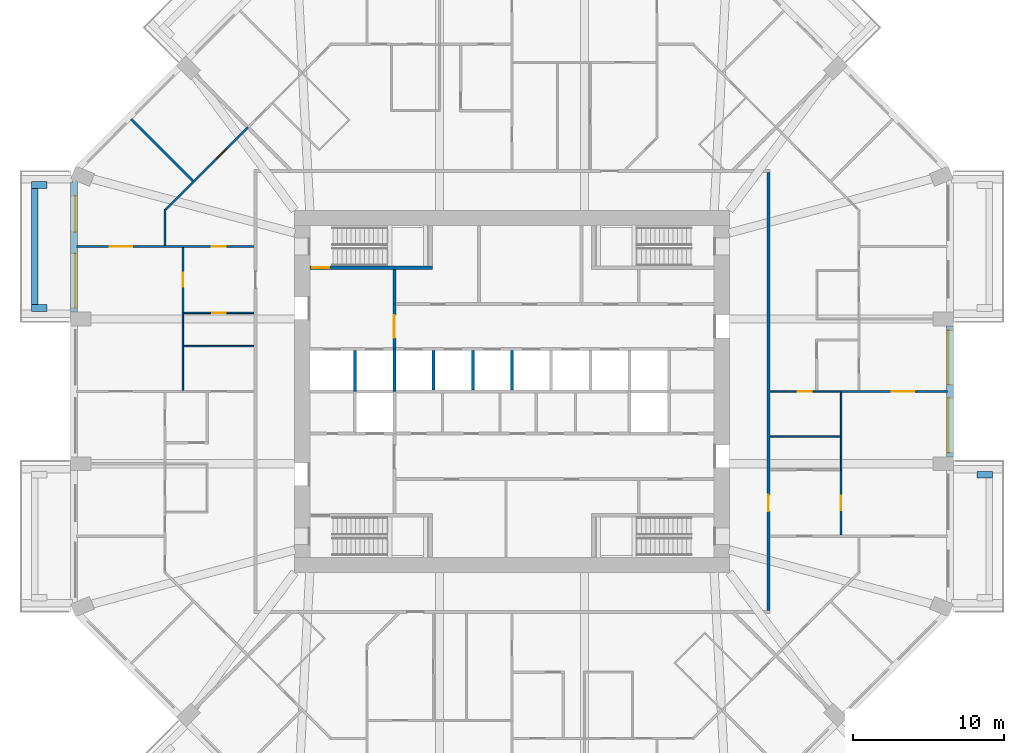
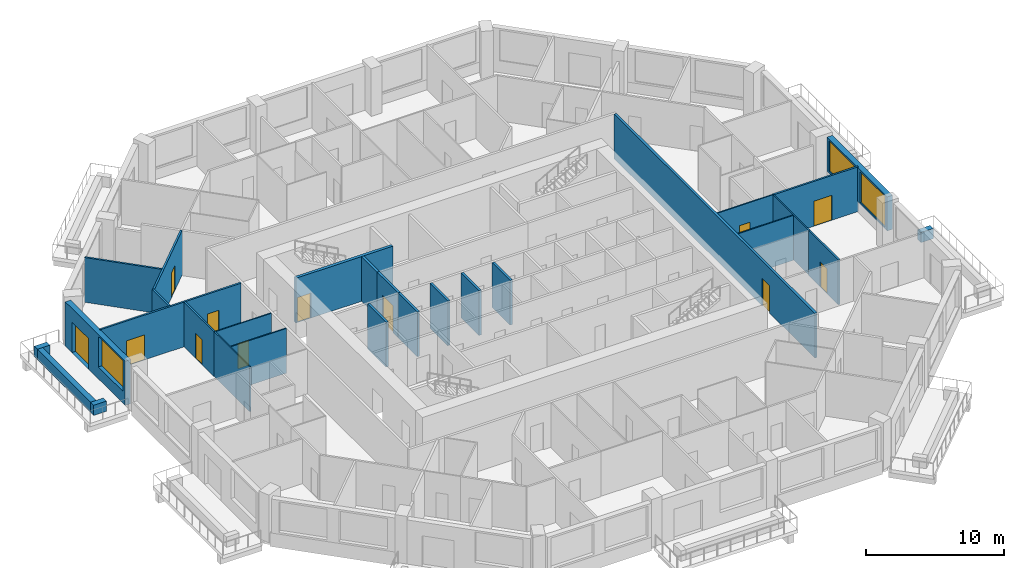
# One storey, part 7 of 13: 28 walls, 12 doors, 3 windows, 15 openings.
"""IFC4 building model written with IfcOpenShell, lengths in metres."""

from ifc_helpers import new_model, si_unit, direction, frame, frame_2d, origin, place, context, subcontext, project, spatial, rectangle, extrude, material, layer, layer_set, type_object, element, fill, save


model = new_model("IFC4")

# Units and contexts
model_context = context("Model", 3, precision=1e-05, world=origin(), true_north=direction((0.0, 1.0)))
body_context = subcontext(model_context, "Body", "Model", "MODEL_VIEW")
ifc_project = project(units=[si_unit("LENGTHUNIT", "METRE"), si_unit("AREAUNIT", "SQUARE_METRE"), si_unit("VOLUMEUNIT", "CUBIC_METRE"), si_unit("PLANEANGLEUNIT", "RADIAN"), si_unit("MASSUNIT", "GRAM", prefix="KILO")], contexts=[model_context])

# Site, building, storey
site_placement = place(None, origin())
site = spatial("IfcSite", under=ifc_project, at=site_placement, CompositionType="ELEMENT")
building_placement = place(site_placement, origin())
building = spatial("IfcBuilding", under=site, at=building_placement, Name="Msitu Wima Residences", CompositionType="ELEMENT")
storey_placement = place(building_placement, frame((0.0, 0.0, 33.89990234375)))
storey = spatial("IfcBuildingStorey", under=building, at=storey_placement, Name="L07", CompositionType="ELEMENT", Elevation=33.89990234375)

# Walls
ifc_material_1 = material(Name="Facing brick")
ifc_layer_1 = layer(ifc_material_1, 0.06494140625, Name="Facing brick")
ifc_material_2 = material(Name="Concrete C40/50", Category="concrete")
ifc_layer_2 = layer(ifc_material_2, 0.156005859375, Name="Concrete C40/50")
ifc_material_3 = material(Name="Waterproofing membrane")
ifc_layer_3 = layer(ifc_material_3, 0.00390625, Name="Waterproofing membrane")
ifc_material_4 = material(Name="Planting soil and planting")
ifc_layer_4 = layer(ifc_material_4, 0.22509765625, Name="Planting soil and planting")
ifc_layer_set_1 = layer_set([ifc_layer_1, ifc_layer_2, ifc_layer_3, ifc_layer_4], Name="Concrete C40/50")
wall_type_1 = type_object("IfcWallType", Name="Balcony planter PLANTER PL450", PredefinedType="USERDEFINED", material=ifc_layer_set_1)
wall_1_placement = place(storey_placement, frame((30.800048828125, -5.52490234375, 0.0), z_axis=(0.0, 0.0, 1.0), x_axis=(1.0, 0.0, 0.0)))
element("IfcWall", 1, at=wall_1_placement, inside=storey, type_object=wall_type_1, Name="Balcony planter E0 L07", ObjectType="PLANTER", PredefinedType="USERDEFINED", context=body_context, shape_type="SweptSolid", body=[
    extrude(rectangle(XDim=1.050048828125, YDim=0.449951171875, at=frame_2d((0.52490234375, 0.0))), origin(), (0.0, 0.0, 1.0), 0.900146484375),
])
wall_2_placement = place(storey_placement, frame((-31.625, 13.449951171875, 0.0), z_axis=(0.0, 0.0, 1.0), x_axis=(0.0, -1.0, 0.0)))
element("IfcWall", 2, at=wall_2_placement, inside=storey, type_object=wall_type_1, Name="Balcony planter W0 L07", ObjectType="PLANTER", PredefinedType="USERDEFINED", context=body_context, shape_type="SweptSolid", body=[
    extrude(rectangle(XDim=7.699951171875, YDim=0.449951171875, at=frame_2d((3.85009765625, 0.0))), origin(), (0.0, 0.0, 1.0), 0.900146484375),
])
for number, where, z_axis, x_axis, name in (
    (3, (-30.800048828125, 13.675048828125, 0.0), (0.0, 0.0, 1.0), (-1.0, 0.0, 0.0), "Balcony planter W0 L07"),
    (4, (-30.800048828125, 5.52490234375, 0.0), (0.0, 0.0, 1.0), (-1.0, 0.0, 0.0), "Balcony planter W0 L07"),
):
    element("IfcWall", number, at=place(storey_placement, frame(where, z_axis=z_axis, x_axis=x_axis)), inside=storey, type_object=wall_type_1, Name=name, ObjectType="PLANTER", PredefinedType="USERDEFINED", context=body_context, shape_type="SweptSolid", body=[
        extrude(rectangle(XDim=1.050048828125, YDim=0.449951171875, at=frame_2d((0.52490234375, 0.0))), origin(), (0.0, 0.0, 1.0), 0.900146484375),
    ])

# Wall, openings, windows
ifc_material_5 = material(Name="Brick (red buff mix)", Category="masonry")
ifc_layer_5 = layer(ifc_material_5, 0.449951171875)
ifc_layer_set_2 = layer_set([ifc_layer_5], Name="Brick (red buff mix)")
wall_type_2 = type_object("IfcWallType", Name="Brick infill wall BW450", PredefinedType="SOLIDWALL", material=ifc_layer_set_2)
wall_3_placement = place(storey_placement, frame((29.02490234375, -4.35009765625, 0.900146484375), z_axis=(0.0, 0.0, 1.0), x_axis=(0.0, 1.0, 0.0)))
wall_3 = element("IfcWall", 5, at=wall_3_placement, inside=storey, type_object=wall_type_2, Name="Brick infill wall L07 E1", PredefinedType="SOLIDWALL", context=body_context, shape_type="SweptSolid", body=[
    extrude(rectangle(XDim=8.7001953125, YDim=0.449951171875, at=frame_2d((4.35009765625, 0.0))), origin(), (0.0, 0.0, 1.0), 3.0),
])
opening_1_placement = place(wall_3_placement, frame((0.300048828125, 0.0, 0.14990234375)))
opening_1 = element("IfcOpeningElement", 6, at=opening_1_placement, cuts=wall_3, Name="Opening W05-07.002", PredefinedType="OPENING", context=body_context, shape_type="SweptSolid", body=[
    extrude(rectangle(XDim=3.60009765625, YDim=2.699951171875, at=frame_2d((1.800048828125, 1.35009765625))), frame((0.0, 0.23486328125, 0.0), z_axis=(0.0, -1.0, 0.0), x_axis=(1.0, 0.0, 0.0)), (0.0, 0.0, 1.0), 0.469970703125),
])
opening_2_placement = place(wall_3_placement, frame((4.800048828125, 0.0, 0.14990234375)))
opening_2 = element("IfcOpeningElement", 7, at=opening_2_placement, cuts=wall_3, Name="Opening W05-07.003", PredefinedType="OPENING", context=body_context, shape_type="SweptSolid", body=[
    extrude(rectangle(XDim=3.60009765625, YDim=2.699951171875, at=frame_2d((1.800048828125, 1.35009765625))), frame((0.0, 0.23486328125, 0.0), z_axis=(0.0, -1.0, 0.0), x_axis=(1.0, 0.0, 0.0)), (0.0, 0.0, 1.0), 0.469970703125),
])
ifc_material_6 = material(Name="Anodised aluminium, bronze finish, clear low-emissivity double glazing", Category="aluminium")
window_type = type_object("IfcWindowType", Name="Window W3600x2700", PartitioningType="DOUBLE_PANEL_VERTICAL", PredefinedType="WINDOW", material=ifc_material_6)
window_1_placement = place(opening_1_placement, origin())
window_1 = element("IfcWindow", 8, at=window_1_placement, inside=storey, type_object=window_type, Name="Window L07 E1.1", OverallHeight=2.699951171875, OverallWidth=3.60009765625, PartitioningType="SINGLE_PANEL", PredefinedType="WINDOW", context=body_context, shape_type="SweptSolid", body=[
    extrude(rectangle(XDim=3.60009765625, YDim=2.699951171875, at=frame_2d((1.800048828125, 1.35009765625))), frame((0.0, 0.135009765625, 0.0), z_axis=(0.0, -1.0, 0.0), x_axis=(1.0, 0.0, 0.0)), (0.0, 0.0, 1.0), 0.06005859375),
])
fill(opening_1, window_1)
window_2_placement = place(opening_2_placement, origin())
window_2 = element("IfcWindow", 9, at=window_2_placement, inside=storey, type_object=window_type, Name="Window L07 E1.2", OverallHeight=2.699951171875, OverallWidth=3.60009765625, PartitioningType="SINGLE_PANEL", PredefinedType="WINDOW", context=body_context, shape_type="SweptSolid", body=[
    extrude(rectangle(XDim=3.60009765625, YDim=2.699951171875, at=frame_2d((1.800048828125, 1.35009765625))), frame((0.0, 0.135009765625, 0.0), z_axis=(0.0, -1.0, 0.0), x_axis=(1.0, 0.0, 0.0)), (0.0, 0.0, 1.0), 0.06005859375),
])
fill(opening_2, window_2)

# Wall, openings, door, window
wall_4_placement = place(storey_placement, frame((-29.02490234375, 13.912841796875, 0.0), z_axis=(0.0, 0.0, 1.0), x_axis=(0.0, -1.0, 0.0)))
wall_4 = element("IfcWall", 10, at=wall_4_placement, inside=storey, type_object=wall_type_2, Name="Brick infill wall L07 W0", PredefinedType="SOLIDWALL", context=body_context, shape_type="SweptSolid", body=[
    extrude(rectangle(XDim=8.662841796875, YDim=0.449951171875, at=frame_2d((4.33154296875, 0.0))), origin(), (0.0, 0.0, 1.0), 3.900146484375),
])
opening_3_placement = place(wall_4_placement, frame((0.9658203125, 0.0, 0.0)))
opening_3 = element("IfcOpeningElement", 11, at=opening_3_placement, cuts=wall_4, Name="Opening D05-07.009", PredefinedType="OPENING", context=body_context, shape_type="SweptSolid", body=[
    extrude(rectangle(XDim=2.39990234375, YDim=2.699951171875, at=frame_2d((1.199951171875, 1.35009765625))), frame((0.0, 0.23486328125, 0.0), z_axis=(0.0, -1.0, 0.0), x_axis=(1.0, 0.0, 0.0)), (0.0, 0.0, 1.0), 0.469970703125),
])
opening_4_placement = place(wall_4_placement, frame((4.781494140625, 0.0, 1.050048828125)))
opening_4 = element("IfcOpeningElement", 12, at=opening_4_placement, cuts=wall_4, Name="Opening W05-07.027", PredefinedType="OPENING", context=body_context, shape_type="SweptSolid", body=[
    extrude(rectangle(XDim=3.60009765625, YDim=2.699951171875, at=frame_2d((1.800048828125, 1.35009765625))), frame((0.0, 0.23486328125, 0.0), z_axis=(0.0, -1.0, 0.0), x_axis=(1.0, 0.0, 0.0)), (0.0, 0.0, 1.0), 0.469970703125),
])
door_type_1 = type_object("IfcDoorType", Name="Balcony door D2400x2700", OperationType="SLIDING_TO_LEFT", PredefinedType="DOOR", material=ifc_material_6)
door_1_placement = place(opening_3_placement, origin())
door_1 = element("IfcDoor", 13, at=door_1_placement, inside=storey, type_object=door_type_1, Name="Balcony door L07 W0", OperationType="SINGLE_SWING_LEFT", OverallHeight=2.699951171875, OverallWidth=2.39990234375, PredefinedType="DOOR", context=body_context, shape_type="SweptSolid", body=[
    extrude(rectangle(XDim=2.39990234375, YDim=2.699951171875, at=frame_2d((1.199951171875, 1.35009765625))), frame((0.0, 0.1298828125, 0.0), z_axis=(0.0, -1.0, 0.0), x_axis=(1.0, 0.0, 0.0)), (0.0, 0.0, 1.0), 0.050048828125),
])
fill(opening_3, door_1)
window_3_placement = place(opening_4_placement, origin())
window_3 = element("IfcWindow", 14, at=window_3_placement, inside=storey, type_object=window_type, Name="Window L07 W0.2", OverallHeight=2.699951171875, OverallWidth=3.60009765625, PartitioningType="SINGLE_PANEL", PredefinedType="WINDOW", context=body_context, shape_type="SweptSolid", body=[
    extrude(rectangle(XDim=3.60009765625, YDim=2.699951171875, at=frame_2d((1.800048828125, 1.35009765625))), frame((0.0, 0.135009765625, 0.0), z_axis=(0.0, -1.0, 0.0), x_axis=(1.0, 0.0, 0.0)), (0.0, 0.0, 1.0), 0.06005859375),
])
fill(opening_4, window_3)

# Wall, opening, door
ifc_material_7 = material(Name="Plaster")
ifc_layer_6 = layer(ifc_material_7, 0.011962890625, Name="Plaster")
ifc_material_8 = material(Name="Concrete blockwork", Category="masonry")
ifc_layer_7 = layer(ifc_material_8, 0.176025390625, Name="Concrete blockwork")
ifc_layer_8 = layer(ifc_material_7, 0.011962890625, Name="Plaster")
ifc_layer_set_3 = layer_set([ifc_layer_6, ifc_layer_7, ifc_layer_8], Name="Concrete blockwork")
wall_type_3 = type_object("IfcWallType", Name="Corridor wall FW200", PredefinedType="PARTITIONING", material=ifc_layer_set_3)
wall_5_placement = place(storey_placement, frame((-7.800048828125, 2.800048828125, 0.0), z_axis=(0.0, 0.0, 1.0), x_axis=(0.0, 1.0, 0.0)))
wall_5 = element("IfcWall", 15, at=wall_5_placement, inside=storey, type_object=wall_type_3, Name="Corridor wall", PredefinedType="PARTITIONING", context=body_context, shape_type="SweptSolid", body=[
    extrude(rectangle(XDim=3.0, YDim=0.199951171875, at=frame_2d((1.5, 0.0))), origin(), (0.0, 0.0, 1.0), 3.9501953125),
])
opening_5_placement = place(wall_5_placement, frame((0.75, 0.0, 0.0)))
opening_5 = element("IfcOpeningElement", 16, at=opening_5_placement, cuts=wall_5, Name="Opening D05-07.017", PredefinedType="OPENING", context=body_context, shape_type="SweptSolid", body=[
    extrude(rectangle(XDim=1.5, YDim=2.39990234375, at=frame_2d((0.75, 1.199951171875))), frame((0.0, 0.10986328125, 0.0), z_axis=(0.0, -1.0, 0.0), x_axis=(1.0, 0.0, 0.0)), (0.0, 0.0, 1.0), 0.219970703125),
])
ifc_material_9 = material(Name="Steel framed glazed door, fire resisting", Category="steel")
door_type_2 = type_object("IfcDoorType", Name="Lobby door D07 1500x2400", OperationType="DOUBLE_DOOR_SINGLE_SWING", PredefinedType="DOOR", material=ifc_material_9)
door_2_placement = place(opening_5_placement, origin())
door_2 = element("IfcDoor", 17, at=door_2_placement, inside=storey, type_object=door_type_2, Name="Lobby door", OperationType="DOUBLE_DOOR_SINGLE_SWING", OverallHeight=2.39990234375, OverallWidth=1.5, PredefinedType="DOOR", context=body_context, shape_type="SweptSolid", body=[
    extrude(rectangle(XDim=1.5, YDim=2.39990234375, at=frame_2d((0.75, 1.199951171875))), frame((0.0, 0.02490234375, 0.0), z_axis=(0.0, -1.0, 0.0), x_axis=(1.0, 0.0, 0.0)), (0.0, 0.0, 1.0), 0.050048828125),
])
fill(opening_5, door_2)

wall_6_placement = place(storey_placement, frame((17.0, -14.5, 0.0), z_axis=(0.0, 0.0, 1.0), x_axis=(0.0, 1.0, 0.0)))
wall_6 = element("IfcWall", 18, at=wall_6_placement, inside=storey, type_object=wall_type_3, Name="Corridor wall", PredefinedType="PARTITIONING", context=body_context, shape_type="SweptSolid", body=[
    extrude(rectangle(XDim=29.0, YDim=0.199951171875, at=frame_2d((14.5, 0.0))), origin(), (0.0, 0.0, 1.0), 3.9501953125),
])
opening_6_placement = place(wall_6_placement, frame((6.550048828125, 0.0, 0.0)))
opening_6 = element("IfcOpeningElement", 19, at=opening_6_placement, cuts=wall_6, Name="Opening D05-07.011", PredefinedType="OPENING", context=body_context, shape_type="SweptSolid", body=[
    extrude(rectangle(XDim=1.10009765625, YDim=2.39990234375, at=frame_2d((0.550048828125, 1.199951171875))), frame((0.0, 0.10986328125, 0.0), z_axis=(0.0, -1.0, 0.0), x_axis=(1.0, 0.0, 0.0)), (0.0, 0.0, 1.0), 0.219970703125),
])
ifc_material_10 = material(Name="Timber flush door, fire resisting, self-closing", Category="wood")
door_type_3 = type_object("IfcDoorType", Name="Flat entrance door D01 1100x2400", OperationType="SINGLE_SWING_LEFT", PredefinedType="DOOR", material=ifc_material_10)
door_3_placement = place(opening_6_placement, origin())
door_3 = element("IfcDoor", 20, at=door_3_placement, inside=storey, type_object=door_type_3, Name="Flat entrance door", OperationType="SINGLE_SWING_RIGHT", OverallHeight=2.39990234375, OverallWidth=1.10009765625, PredefinedType="DOOR", context=body_context, shape_type="SweptSolid", body=[
    extrude(rectangle(XDim=1.10009765625, YDim=2.39990234375, at=frame_2d((0.550048828125, 1.199951171875))), frame((0.0, 0.02490234375, 0.0), z_axis=(0.0, -1.0, 0.0), x_axis=(1.0, 0.0, 0.0)), (0.0, 0.0, 1.0), 0.050048828125),
])
fill(opening_6, door_3)

# Wall, openings, doors
ifc_layer_9 = layer(ifc_material_7, 0.011962890625, Name="Plaster")
ifc_layer_10 = layer(ifc_material_8, 0.1259765625, Name="Concrete blockwork")
ifc_layer_11 = layer(ifc_material_7, 0.011962890625, Name="Plaster")
ifc_layer_set_4 = layer_set([ifc_layer_9, ifc_layer_10, ifc_layer_11], Name="Concrete blockwork")
wall_type_4 = type_object("IfcWallType", Name="Partition PW150", PredefinedType="PARTITIONING", material=ifc_layer_set_4)
wall_7_placement = place(storey_placement, frame((-28.85498046875, 9.60009765625, 0.0), z_axis=(0.0, 0.0, 1.0), x_axis=(1.0, 0.0, 0.0)))
wall_7 = element("IfcWall", 21, at=wall_7_placement, inside=storey, type_object=wall_type_4, Name="Partition", PredefinedType="PARTITIONING", context=body_context, shape_type="SweptSolid", body=[
    extrude(rectangle(XDim=11.7548828125, YDim=0.14990234375, at=frame_2d((5.87744140625, 0.0))), origin(), (0.0, 0.0, 1.0), 3.9501953125),
])
opening_7_placement = place(wall_7_placement, frame((8.949951171875, 0.0, 0.0)))
opening_7 = element("IfcOpeningElement", 22, at=opening_7_placement, cuts=wall_7, Name="Opening D05-07.063", PredefinedType="OPENING", context=body_context, shape_type="SweptSolid", body=[
    extrude(rectangle(XDim=0.949951171875, YDim=2.199951171875, at=frame_2d((0.47509765625, 1.10009765625))), frame((0.0, 0.0849609375, 0.0), z_axis=(0.0, -1.0, 0.0), x_axis=(1.0, 0.0, 0.0)), (0.0, 0.0, 1.0), 0.169921875),
])
opening_8_placement = place(wall_7_placement, frame((2.199951171875, 0.0, 0.0)))
opening_8 = element("IfcOpeningElement", 23, at=opening_8_placement, cuts=wall_7, Name="Opening D05-07.070", PredefinedType="OPENING", context=body_context, shape_type="SweptSolid", body=[
    extrude(rectangle(XDim=1.5, YDim=2.199951171875, at=frame_2d((0.75, 1.10009765625))), frame((0.0, 0.0849609375, 0.0), z_axis=(0.0, -1.0, 0.0), x_axis=(1.0, 0.0, 0.0)), (0.0, 0.0, 1.0), 0.169921875),
])
ifc_material_11 = material(Name="Timber double door", Category="wood")
door_type_4 = type_object("IfcDoorType", Name="Double door D04 1500x2200", OperationType="DOUBLE_DOOR_SINGLE_SWING", PredefinedType="DOOR", material=ifc_material_11)
door_4_placement = place(opening_8_placement, origin())
door_4 = element("IfcDoor", 24, at=door_4_placement, inside=storey, type_object=door_type_4, Name="Double door", OperationType="DOUBLE_DOOR_SINGLE_SWING", OverallHeight=2.199951171875, OverallWidth=1.5, PredefinedType="DOOR", context=body_context, shape_type="SweptSolid", body=[
    extrude(rectangle(XDim=1.5, YDim=2.199951171875, at=frame_2d((0.75, 1.10009765625))), frame((0.0, 0.02490234375, 0.0), z_axis=(0.0, -1.0, 0.0), x_axis=(1.0, 0.0, 0.0)), (0.0, 0.0, 1.0), 0.050048828125),
])
fill(opening_8, door_4)
ifc_material_12 = material(Name="Timber flush door", Category="wood")
door_type_5 = type_object("IfcDoorType", Name="Room door D12 950x2200", OperationType="SINGLE_SWING_LEFT", PredefinedType="DOOR", material=ifc_material_12)
door_5_placement = place(opening_7_placement, origin())
door_5 = element("IfcDoor", 25, at=door_5_placement, inside=storey, type_object=door_type_5, Name="Room door", OperationType="SINGLE_SWING_RIGHT", OverallHeight=2.199951171875, OverallWidth=0.949951171875, PredefinedType="DOOR", context=body_context, shape_type="SweptSolid", body=[
    extrude(rectangle(XDim=0.949951171875, YDim=2.199951171875, at=frame_2d((0.47509765625, 1.10009765625))), frame((0.0, 0.02490234375, 0.0), z_axis=(0.0, -1.0, 0.0), x_axis=(1.0, 0.0, 0.0)), (0.0, 0.0, 1.0), 0.050048828125),
])
fill(opening_7, door_5)

# Walls
wall_8_placement = place(storey_placement, frame((-25.23876953125, 18.038818359375, 0.0), z_axis=(0.0, 0.0, 1.0), x_axis=(0.707106781187, -0.707106781187, 0.0)))
element("IfcWall", 26, at=wall_8_placement, inside=storey, type_object=wall_type_4, Name="Partition", PredefinedType="PARTITIONING", context=body_context, shape_type="SweptSolid", body=[
    extrude(rectangle(XDim=5.77978515625, YDim=0.14990234375, at=frame_2d((2.889892578125, 0.0))), origin(), (0.0, 0.0, 1.0), 3.9501953125),
])
wall_9_placement = place(storey_placement, frame((-23.0, 9.675048828125, 0.0), z_axis=(0.0, 0.0, 1.0), x_axis=(0.0, 1.0, 0.0)))
element("IfcWall", 27, at=wall_9_placement, inside=storey, type_object=wall_type_4, Name="Partition", PredefinedType="PARTITIONING", context=body_context, shape_type="SweptSolid", body=[
    extrude(rectangle(XDim=2.3974609375, YDim=0.14990234375, at=frame_2d((1.19873046875, 0.0))), origin(), (0.0, 0.0, 1.0), 3.9501953125),
])

# Wall, opening, door
wall_10_placement = place(storey_placement, frame((-22.947021484375, 12.050537109375, 0.0), z_axis=(0.0, 0.0, 1.0), x_axis=(0.707106781187, 0.707106781187, 0.0)))
wall_10 = element("IfcWall", 28, at=wall_10_placement, inside=storey, type_object=wall_type_4, Name="Partition", PredefinedType="PARTITIONING", context=body_context, shape_type="SweptSolid", body=[
    extrude(rectangle(XDim=7.705078125, YDim=0.14990234375, at=frame_2d((3.8525390625, 0.0))), origin(), (0.0, 0.0, 1.0), 3.9501953125),
])
opening_9_placement = place(wall_10_placement, frame((4.75, 0.0, 0.0)))
opening_9 = element("IfcOpeningElement", 29, at=opening_9_placement, cuts=wall_10, Name="Opening D05-07.065", PredefinedType="OPENING", context=body_context, shape_type="SweptSolid", body=[
    extrude(rectangle(XDim=0.949951171875, YDim=2.199951171875, at=frame_2d((0.47509765625, 1.10009765625))), frame((0.0, 0.0849609375, 0.0), z_axis=(0.0, -1.0, 0.0), x_axis=(1.0, 0.0, 0.0)), (0.0, 0.0, 1.0), 0.169921875),
])
door_6_placement = place(opening_9_placement, origin())
door_6 = element("IfcDoor", 30, at=door_6_placement, inside=storey, type_object=door_type_5, Name="Room door", OperationType="SINGLE_SWING_RIGHT", OverallHeight=2.199951171875, OverallWidth=0.949951171875, PredefinedType="DOOR", context=body_context, shape_type="SweptSolid", body=[
    extrude(rectangle(XDim=0.949951171875, YDim=2.199951171875, at=frame_2d((0.47509765625, 1.10009765625))), frame((0.0, 0.02490234375, 0.0), z_axis=(0.0, -1.0, 0.0), x_axis=(1.0, 0.0, 0.0)), (0.0, 0.0, 1.0), 0.050048828125),
])
fill(opening_9, door_6)

wall_11_placement = place(storey_placement, frame((-21.800048828125, 5.219970703125, 0.0), z_axis=(0.0, 0.0, 1.0), x_axis=(0.0, 1.0, 0.0)))
wall_11 = element("IfcWall", 31, at=wall_11_placement, inside=storey, type_object=wall_type_4, Name="Partition", PredefinedType="PARTITIONING", context=body_context, shape_type="SweptSolid", body=[
    extrude(rectangle(XDim=4.304931640625, YDim=0.14990234375, at=frame_2d((2.15234375, 0.0))), origin(), (0.0, 0.0, 1.0), 3.9501953125),
])
opening_10_placement = place(wall_11_placement, frame((1.699951171875, 0.0, 0.0)))
opening_10 = element("IfcOpeningElement", 32, at=opening_10_placement, cuts=wall_11, Name="Opening D05-07.066", PredefinedType="OPENING", context=body_context, shape_type="SweptSolid", body=[
    extrude(rectangle(XDim=0.949951171875, YDim=2.199951171875, at=frame_2d((0.47509765625, 1.10009765625))), frame((0.0, 0.0849609375, 0.0), z_axis=(0.0, -1.0, 0.0), x_axis=(1.0, 0.0, 0.0)), (0.0, 0.0, 1.0), 0.169921875),
])
door_7_placement = place(opening_10_placement, origin())
door_7 = element("IfcDoor", 33, at=door_7_placement, inside=storey, type_object=door_type_5, Name="Room door", OperationType="SINGLE_SWING_RIGHT", OverallHeight=2.199951171875, OverallWidth=0.949951171875, PredefinedType="DOOR", context=body_context, shape_type="SweptSolid", body=[
    extrude(rectangle(XDim=0.949951171875, YDim=2.199951171875, at=frame_2d((0.47509765625, 1.10009765625))), frame((0.0, 0.02490234375, 0.0), z_axis=(0.0, -1.0, 0.0), x_axis=(1.0, 0.0, 0.0)), (0.0, 0.0, 1.0), 0.050048828125),
])
fill(opening_10, door_7)

wall_12_placement = place(storey_placement, frame((21.800048828125, -9.52490234375, 0.0), z_axis=(0.0, 0.0, 1.0), x_axis=(0.0, 1.0, 0.0)))
wall_12 = element("IfcWall", 34, at=wall_12_placement, inside=storey, type_object=wall_type_4, Name="Partition", PredefinedType="PARTITIONING", context=body_context, shape_type="SweptSolid", body=[
    extrude(rectangle(XDim=4.304931640625, YDim=0.14990234375, at=frame_2d((2.15234375, 0.0))), origin(), (0.0, 0.0, 1.0), 3.9501953125),
])
opening_11_placement = place(wall_12_placement, frame((1.64990234375, 0.0, 0.0)))
opening_11 = element("IfcOpeningElement", 35, at=opening_11_placement, cuts=wall_12, Name="Opening D05-07.053", PredefinedType="OPENING", context=body_context, shape_type="SweptSolid", body=[
    extrude(rectangle(XDim=0.949951171875, YDim=2.199951171875, at=frame_2d((0.47509765625, 1.10009765625))), frame((0.0, 0.0849609375, 0.0), z_axis=(0.0, -1.0, 0.0), x_axis=(1.0, 0.0, 0.0)), (0.0, 0.0, 1.0), 0.169921875),
])
door_8_placement = place(opening_11_placement, origin())
door_8 = element("IfcDoor", 36, at=door_8_placement, inside=storey, type_object=door_type_5, Name="Room door", OperationType="SINGLE_SWING_RIGHT", OverallHeight=2.199951171875, OverallWidth=0.949951171875, PredefinedType="DOOR", context=body_context, shape_type="SweptSolid", body=[
    extrude(rectangle(XDim=0.949951171875, YDim=2.199951171875, at=frame_2d((0.47509765625, 1.10009765625))), frame((0.0, 0.02490234375, 0.0), z_axis=(0.0, -1.0, 0.0), x_axis=(1.0, 0.0, 0.0)), (0.0, 0.0, 1.0), 0.050048828125),
])
fill(opening_11, door_8)

wall_13_placement = place(storey_placement, frame((21.800048828125, 0.0, 0.0), z_axis=(0.0, 0.0, 1.0), x_axis=(1.0, 0.0, 0.0)))
wall_13 = element("IfcWall", 37, at=wall_13_placement, inside=storey, type_object=wall_type_4, Name="Partition", PredefinedType="PARTITIONING", context=body_context, shape_type="SweptSolid", body=[
    extrude(rectangle(XDim=7.054931640625, YDim=0.14990234375, at=frame_2d((3.52734375, 0.0))), origin(), (0.0, 0.0, 1.0), 3.9501953125),
])
opening_12_placement = place(wall_13_placement, frame((3.35009765625, 0.0, 0.0)))
opening_12 = element("IfcOpeningElement", 38, at=opening_12_placement, cuts=wall_13, Name="Opening D05-07.075", PredefinedType="OPENING", context=body_context, shape_type="SweptSolid", body=[
    extrude(rectangle(XDim=1.5, YDim=2.199951171875, at=frame_2d((0.75, 1.10009765625))), frame((0.0, 0.0849609375, 0.0), z_axis=(0.0, -1.0, 0.0), x_axis=(1.0, 0.0, 0.0)), (0.0, 0.0, 1.0), 0.169921875),
])
door_9_placement = place(opening_12_placement, origin())
door_9 = element("IfcDoor", 39, at=door_9_placement, inside=storey, type_object=door_type_4, Name="Double door", OperationType="DOUBLE_DOOR_SINGLE_SWING", OverallHeight=2.199951171875, OverallWidth=1.5, PredefinedType="DOOR", context=body_context, shape_type="SweptSolid", body=[
    extrude(rectangle(XDim=1.5, YDim=2.199951171875, at=frame_2d((0.75, 1.10009765625))), frame((0.0, 0.02490234375, 0.0), z_axis=(0.0, -1.0, 0.0), x_axis=(1.0, 0.0, 0.0)), (0.0, 0.0, 1.0), 0.050048828125),
])
fill(opening_12, door_9)

# Walls
ifc_layer_12 = layer(ifc_material_7, 0.011962890625, Name="Plaster")
ifc_material_13 = material(Name="Reinforced concrete blockwork", Category="masonry")
ifc_layer_13 = layer(ifc_material_13, 0.176025390625, Name="Reinforced concrete blockwork")
ifc_layer_14 = layer(ifc_material_7, 0.011962890625, Name="Plaster")
ifc_layer_set_5 = layer_set([ifc_layer_12, ifc_layer_13, ifc_layer_14], Name="Reinforced concrete blockwork")
wall_type_5 = type_object("IfcWallType", Name="Plant and riser wall PL200", PredefinedType="PARTITIONING", material=ifc_layer_set_5)
wall_14_placement = place(storey_placement, frame((-7.800048828125, 5.800048828125, 0.0), z_axis=(0.0, 0.0, 1.0), x_axis=(0.0, 1.0, 0.0)))
element("IfcWall", 40, at=wall_14_placement, inside=storey, type_object=wall_type_5, Name="Plant and riser wall", PredefinedType="PARTITIONING", context=body_context, shape_type="SweptSolid", body=[
    extrude(rectangle(XDim=2.27490234375, YDim=0.199951171875, at=frame_2d((1.137451171875, 0.0))), origin(), (0.0, 0.0, 1.0), 3.9501953125),
])
ifc_material_14 = material(Name="Fire-rated board")
ifc_layer_15 = layer(ifc_material_14, 0.02490234375, Name="Fire-rated board")
ifc_material_15 = material(Name="Light-gauge stud framing with mineral wool")
ifc_layer_16 = layer(ifc_material_15, 0.14990234375, Name="Light-gauge stud framing with mineral wool")
ifc_layer_17 = layer(ifc_material_14, 0.02490234375, Name="Fire-rated board")
ifc_layer_set_6 = layer_set([ifc_layer_15, ifc_layer_16, ifc_layer_17], Name="Light-gauge stud framing with mineral wool")
wall_type_6 = type_object("IfcWallType", Name="Shaft wall SH200", PredefinedType="PARTITIONING", material=ifc_layer_set_6)
wall_15_placement = place(storey_placement, frame((-10.39990234375, 0.0, 0.0), z_axis=(0.0, 0.0, 1.0), x_axis=(0.0, 1.0, 0.0)))
element("IfcWall", 41, at=wall_15_placement, inside=storey, type_object=wall_type_6, Name="Shaft wall", PredefinedType="PARTITIONING", context=body_context, shape_type="SweptSolid", body=[
    extrude(rectangle(XDim=2.699951171875, YDim=0.199951171875, at=frame_2d((1.35009765625, 0.0))), origin(), (0.0, 0.0, 1.0), 3.9501953125),
])
wall_16_placement = place(storey_placement, frame((-7.800048828125, 0.0, 0.0), z_axis=(0.0, 0.0, 1.0), x_axis=(0.0, 1.0, 0.0)))
element("IfcWall", 42, at=wall_16_placement, inside=storey, type_object=wall_type_6, Name="Shaft wall", PredefinedType="PARTITIONING", context=body_context, shape_type="SweptSolid", body=[
    extrude(rectangle(XDim=2.800048828125, YDim=0.199951171875, at=frame_2d((1.39990234375, 0.0))), origin(), (0.0, 0.0, 1.0), 3.9501953125),
])
for number, where, z_axis, x_axis, name in (
    (43, (-5.199951171875, 0.10009765625, 0.0), (0.0, 0.0, 1.0), (0.0, 1.0, 0.0), "Shaft wall"),
    (44, (-2.60009765625, 0.10009765625, 0.0), (0.0, 0.0, 1.0), (0.0, 1.0, 0.0), "Shaft wall"),
    (45, (0.0, 0.10009765625, 0.0), (0.0, 0.0, 1.0), (0.0, 1.0, 0.0), "Shaft wall"),
):
    element("IfcWall", number, at=place(storey_placement, frame(where, z_axis=z_axis, x_axis=x_axis)), inside=storey, type_object=wall_type_6, Name=name, PredefinedType="PARTITIONING", context=body_context, shape_type="SweptSolid", body=[
        extrude(rectangle(XDim=2.599853515625, YDim=0.199951171875, at=frame_2d((1.2998046875, 0.0))), origin(), (0.0, 0.0, 1.0), 3.9501953125),
    ])

# Wall, opening, door
ifc_material_16 = material(Name="Concrete C50/60", Category="concrete")
ifc_layer_18 = layer(ifc_material_16, 0.25)
ifc_layer_set_7 = layer_set([ifc_layer_18], Name="Concrete C50/60")
wall_type_7 = type_object("IfcWallType", Name="Stair enclosure wall SW250", PredefinedType="SHEAR", material=ifc_layer_set_7)
wall_17_placement = place(storey_placement, frame((-13.3701171875, 8.199951171875, 0.0), z_axis=(0.0, 0.0, 1.0), x_axis=(1.0, 0.0, 0.0)))
wall_17 = element("IfcWall", 46, at=wall_17_placement, inside=storey, type_object=wall_type_7, Name="Stair enclosure wall", PredefinedType="SHEAR", context=body_context, shape_type="SweptSolid", body=[
    extrude(rectangle(XDim=8.09521484375, YDim=0.25, at=frame_2d((4.047607421875, 0.0))), origin(), (0.0, 0.0, 1.0), 3.9501953125),
])
opening_13_placement = place(wall_17_placement, frame((0.14990234375, 0.0, 0.0)))
opening_13 = element("IfcOpeningElement", 47, at=opening_13_placement, cuts=wall_17, Name="Opening D05-07.037", PredefinedType="OPENING", context=body_context, shape_type="SweptSolid", body=[
    extrude(rectangle(XDim=1.10009765625, YDim=2.199951171875, at=frame_2d((0.550048828125, 1.10009765625))), frame((0.0, 0.135009765625, 0.0), z_axis=(0.0, -1.0, 0.0), x_axis=(1.0, 0.0, 0.0)), (0.0, 0.0, 1.0), 0.27001953125),
])
ifc_material_17 = material(Name="Steel door, fire resisting, panic bar", Category="steel")
door_type_6 = type_object("IfcDoorType", Name="Stair door D06 1100x2200", OperationType="SINGLE_SWING_LEFT", PredefinedType="DOOR", material=ifc_material_17)
door_10_placement = place(opening_13_placement, origin())
door_10 = element("IfcDoor", 48, at=door_10_placement, inside=storey, type_object=door_type_6, Name="Stair door", OperationType="SINGLE_SWING_LEFT", OverallHeight=2.199951171875, OverallWidth=1.10009765625, PredefinedType="DOOR", context=body_context, shape_type="SweptSolid", body=[
    extrude(rectangle(XDim=1.10009765625, YDim=2.199951171875, at=frame_2d((0.550048828125, 1.10009765625))), frame((0.0, 0.02490234375, 0.0), z_axis=(0.0, -1.0, 0.0), x_axis=(1.0, 0.0, 0.0)), (0.0, 0.0, 1.0), 0.050048828125),
])
fill(opening_13, door_10)

# Walls
ifc_material_18 = material(Name="Ceramic tiles")
ifc_layer_19 = layer(ifc_material_18, 0.008056640625, Name="Ceramic tiles")
ifc_material_19 = material(Name="Moisture-resistant board")
ifc_layer_20 = layer(ifc_material_19, 0.012451171875, Name="Moisture-resistant board")
ifc_layer_21 = layer(ifc_material_15, 0.06689453125, Name="Light-gauge stud framing with mineral wool")
ifc_layer_22 = layer(ifc_material_19, 0.012451171875, Name="Moisture-resistant board")
ifc_layer_set_8 = layer_set([ifc_layer_19, ifc_layer_20, ifc_layer_21, ifc_layer_22], Name="Light-gauge stud framing with mineral wool")
wall_type_8 = type_object("IfcWallType", Name="Wet wall PW100", PredefinedType="PARTITIONING", material=ifc_layer_set_8)
wall_18_placement = place(storey_placement, frame((-21.800048828125, 0.074951171875, 0.0), z_axis=(0.0, 0.0, 1.0), x_axis=(0.0, 1.0, 0.0)))
element("IfcWall", 49, at=wall_18_placement, inside=storey, type_object=wall_type_8, Name="Wet wall", PredefinedType="PARTITIONING", context=body_context, shape_type="SweptSolid", body=[
    extrude(rectangle(XDim=5.14501953125, YDim=0.10009765625, at=frame_2d((2.572509765625, 0.0))), origin(), (0.0, 0.0, 1.0), 3.9501953125),
])
wall_19_placement = place(storey_placement, frame((-21.75, 3.0, 0.0), z_axis=(0.0, 0.0, 1.0), x_axis=(1.0, 0.0, 0.0)))
element("IfcWall", 50, at=wall_19_placement, inside=storey, type_object=wall_type_8, Name="Wet wall", PredefinedType="PARTITIONING", context=body_context, shape_type="SweptSolid", body=[
    extrude(rectangle(XDim=4.64990234375, YDim=0.10009765625, at=frame_2d((2.324951171875, 0.0))), origin(), (0.0, 0.0, 1.0), 3.9501953125),
])

# Wall, opening, door
wall_20_placement = place(storey_placement, frame((-21.72509765625, 5.199951171875, 0.0), z_axis=(0.0, 0.0, 1.0), x_axis=(1.0, 0.0, 0.0)))
wall_20 = element("IfcWall", 51, at=wall_20_placement, inside=storey, type_object=wall_type_8, Name="Wet wall", PredefinedType="PARTITIONING", context=body_context, shape_type="SweptSolid", body=[
    extrude(rectangle(XDim=4.625, YDim=0.10009765625, at=frame_2d((2.3125, 0.0))), origin(), (0.0, 0.0, 1.0), 3.9501953125),
])
opening_14_placement = place(wall_20_placement, frame((1.85009765625, 0.0, 0.0)))
opening_14 = element("IfcOpeningElement", 52, at=opening_14_placement, cuts=wall_20, Name="Opening D05-07.068", PredefinedType="OPENING", context=body_context, shape_type="SweptSolid", body=[
    extrude(rectangle(XDim=0.89990234375, YDim=2.199951171875, at=frame_2d((0.449951171875, 1.10009765625))), frame((0.0, 0.06005859375, 0.0), z_axis=(0.0, -1.0, 0.0), x_axis=(1.0, 0.0, 0.0)), (0.0, 0.0, 1.0), 0.1201171875),
])
ifc_material_20 = material(Name="Timber flush door, moisture resistant", Category="wood")
door_type_7 = type_object("IfcDoorType", Name="Bathroom door D03 900x2200", OperationType="SINGLE_SWING_LEFT", PredefinedType="DOOR", material=ifc_material_20)
door_11_placement = place(opening_14_placement, origin())
door_11 = element("IfcDoor", 53, at=door_11_placement, inside=storey, type_object=door_type_7, Name="Bathroom door", OperationType="SINGLE_SWING_RIGHT", OverallHeight=2.199951171875, OverallWidth=0.89990234375, PredefinedType="DOOR", context=body_context, shape_type="SweptSolid", body=[
    extrude(rectangle(XDim=0.89990234375, YDim=2.199951171875, at=frame_2d((0.449951171875, 1.10009765625))), frame((0.0, 0.02490234375, 0.0), z_axis=(0.0, -1.0, 0.0), x_axis=(1.0, 0.0, 0.0)), (0.0, 0.0, 1.0), 0.050048828125),
])
fill(opening_14, door_11)

# Wall
wall_21_placement = place(storey_placement, frame((17.10009765625, -3.0, 0.0), z_axis=(0.0, 0.0, 1.0), x_axis=(1.0, 0.0, 0.0)))
element("IfcWall", 54, at=wall_21_placement, inside=storey, type_object=wall_type_8, Name="Wet wall", PredefinedType="PARTITIONING", context=body_context, shape_type="SweptSolid", body=[
    extrude(rectangle(XDim=4.64990234375, YDim=0.10009765625, at=frame_2d((2.324951171875, 0.0))), origin(), (0.0, 0.0, 1.0), 3.9501953125),
])

# Wall, opening, door
wall_22_placement = place(storey_placement, frame((17.10009765625, 0.0, 0.0), z_axis=(0.0, 0.0, 1.0), x_axis=(1.0, 0.0, 0.0)))
wall_22 = element("IfcWall", 55, at=wall_22_placement, inside=storey, type_object=wall_type_8, Name="Wet wall", PredefinedType="PARTITIONING", context=body_context, shape_type="SweptSolid", body=[
    extrude(rectangle(XDim=4.699951171875, YDim=0.10009765625, at=frame_2d((2.35009765625, 0.0))), origin(), (0.0, 0.0, 1.0), 3.9501953125),
])
opening_15_placement = place(wall_22_placement, frame((1.85009765625, 0.0, 0.0)))
opening_15 = element("IfcOpeningElement", 56, at=opening_15_placement, cuts=wall_22, Name="Opening D05-07.045", PredefinedType="OPENING", context=body_context, shape_type="SweptSolid", body=[
    extrude(rectangle(XDim=0.89990234375, YDim=2.199951171875, at=frame_2d((0.449951171875, 1.10009765625))), frame((0.0, 0.06005859375, 0.0), z_axis=(0.0, -1.0, 0.0), x_axis=(1.0, 0.0, 0.0)), (0.0, 0.0, 1.0), 0.1201171875),
])
door_12_placement = place(opening_15_placement, origin())
door_12 = element("IfcDoor", 57, at=door_12_placement, inside=storey, type_object=door_type_7, Name="Bathroom door", OperationType="SINGLE_SWING_RIGHT", OverallHeight=2.199951171875, OverallWidth=0.89990234375, PredefinedType="DOOR", context=body_context, shape_type="SweptSolid", body=[
    extrude(rectangle(XDim=0.89990234375, YDim=2.199951171875, at=frame_2d((0.449951171875, 1.10009765625))), frame((0.0, 0.02490234375, 0.0), z_axis=(0.0, -1.0, 0.0), x_axis=(1.0, 0.0, 0.0)), (0.0, 0.0, 1.0), 0.050048828125),
])
fill(opening_15, door_12)

# Wall
wall_23_placement = place(storey_placement, frame((21.800048828125, -5.219970703125, 0.0), z_axis=(0.0, 0.0, 1.0), x_axis=(0.0, 1.0, 0.0)))
element("IfcWall", 58, at=wall_23_placement, inside=storey, type_object=wall_type_8, Name="Wet wall", PredefinedType="PARTITIONING", context=body_context, shape_type="SweptSolid", body=[
    extrude(rectangle(XDim=5.169921875, YDim=0.10009765625, at=frame_2d((2.5849609375, 0.0))), origin(), (0.0, 0.0, 1.0), 3.9501953125),
])

save(model, "model.ifc")
